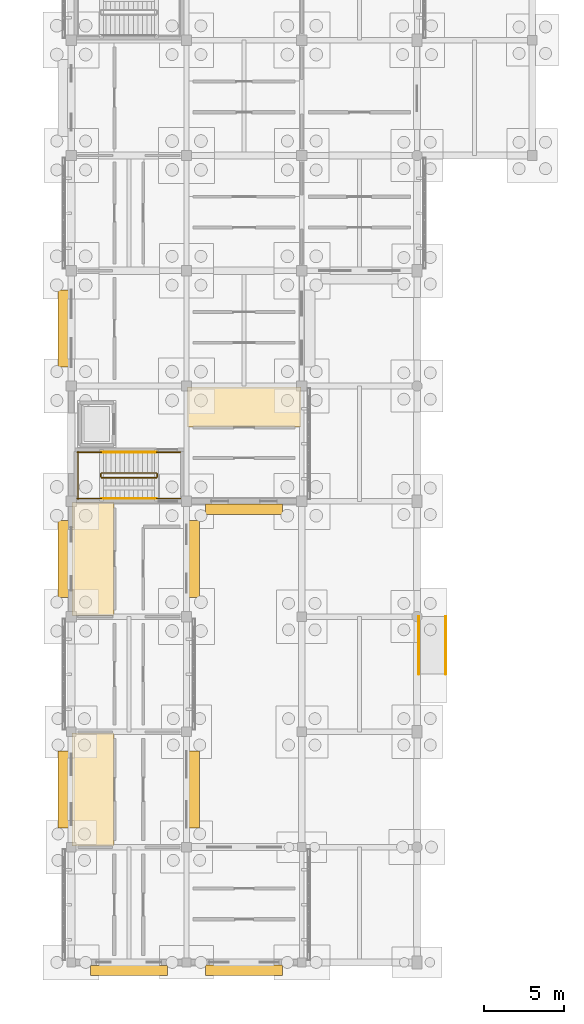
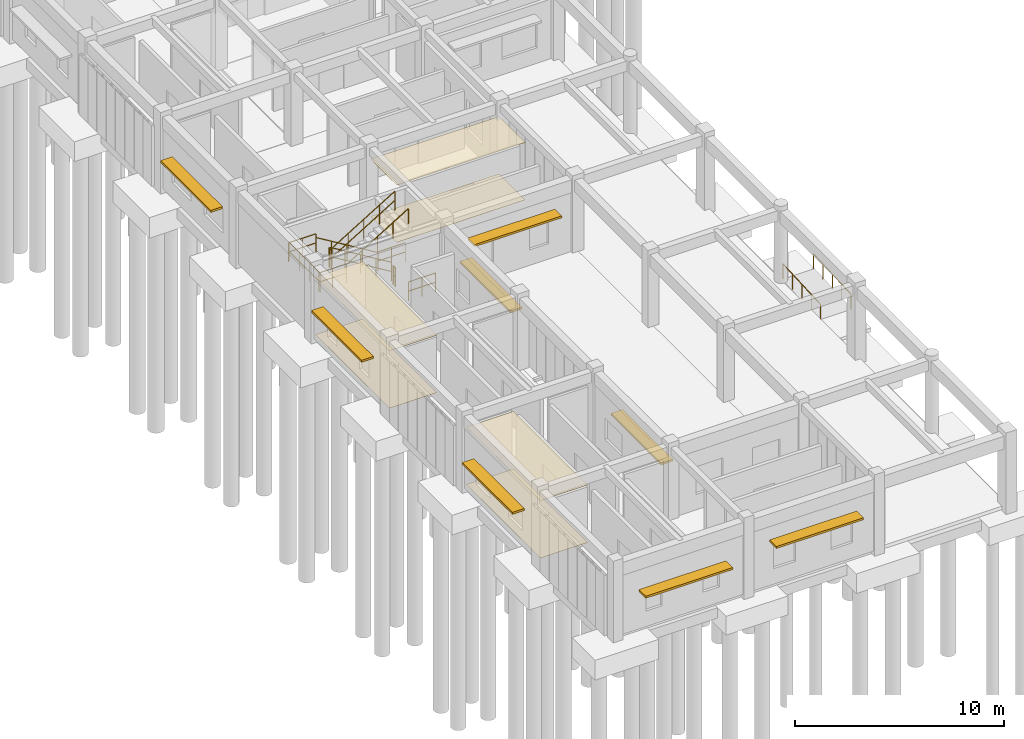
# One storey, part 91 of 111: 13 railings, 8 shading devices, 6 coverings.
"""IFC4 building model written with IfcOpenShell, lengths in metres."""

from ifc_helpers import new_model, si_unit, direction, frame, origin, origin_2d, place, context, subcontext, project, spatial, polyline, rectangle, circle, outline, extrude, material, layer, layer_set, type_object, element, save


model = new_model("IFC4")

# Units and contexts
model_context = context("Model", 3, precision=1e-05, world=origin(), true_north=direction((0.0, 1.0)))
body_context = subcontext(model_context, "Body", "Model", "MODEL_VIEW")
ifc_project = project(units=[si_unit("LENGTHUNIT", "METRE"), si_unit("AREAUNIT", "SQUARE_METRE"), si_unit("VOLUMEUNIT", "CUBIC_METRE"), si_unit("PLANEANGLEUNIT", "RADIAN"), si_unit("MASSUNIT", "GRAM", prefix="KILO")], contexts=[model_context])

# Site, building, storey
site_placement = place(None, origin())
site = spatial("IfcSite", under=ifc_project, at=site_placement, CompositionType="ELEMENT")
building_placement = place(site_placement, origin())
building = spatial("IfcBuilding", under=site, at=building_placement, Name="Aldebral Square Health Centre", CompositionType="ELEMENT")
storey_placement = place(building_placement, origin())
storey = spatial("IfcBuildingStorey", under=building, at=storey_placement, Name="L00", CompositionType="ELEMENT", Elevation=0.0)

# Coverings
ifc_material_1 = material(Name="Hygienic acoustic mineral ceiling tile")
ifc_layer_1 = layer(ifc_material_1, 0.02001953125, Name="Hygienic acoustic mineral ceiling tile")
ifc_layer_set_1 = layer_set([ifc_layer_1], Name="Hygienic acoustic mineral ceiling tile")
covering_type_1 = type_object("IfcCoveringType", Name="COV-CLG-AC", PredefinedType="CEILING", material=ifc_layer_set_1)
covering_1_placement = place(storey_placement, frame((0.0, 0.0, 3.340087890625)))
element("IfcCovering", 1, at=covering_1_placement, inside=storey, type_object=covering_type_1, Name="L00 Social Work Interview Room 1.2W acoustic ceiling", PredefinedType="CEILING", context=body_context, shape_type="SweptSolid", body=[
    extrude(outline(polyline([(0.06005859375, 7.260009765625), (2.659912109375, 7.260009765625), (2.659912109375, 14.340087890625), (0.06005859375, 14.340087890625), (0.06005859375, 7.260009765625)])), origin(), (0.0, 0.0, 1.0), 0.02001953125),
])
covering_2_placement = place(storey_placement, frame((0.0, 0.0, 3.340087890625)))
element("IfcCovering", 2, at=covering_2_placement, inside=storey, type_object=covering_type_1, Name="L00 Health Education Classroom 1.4W acoustic ceiling", PredefinedType="CEILING", context=body_context, shape_type="SweptSolid", body=[
    extrude(outline(polyline([(0.06005859375, 21.659912109375), (2.659912109375, 21.659912109375), (2.659912109375, 28.739990234375), (0.06005859375, 28.739990234375), (0.06005859375, 21.659912109375)])), origin(), (0.0, 0.0, 1.0), 0.02001953125),
])
covering_3_placement = place(storey_placement, frame((0.0, 0.0, 3.340087890625)))
element("IfcCovering", 3, at=covering_3_placement, inside=storey, type_object=covering_type_1, Name="L00 Accessible WC 2.5N acoustic ceiling", PredefinedType="CEILING", context=body_context, shape_type="SweptSolid", body=[
    extrude(outline(polyline([(7.260009765625, 33.43994140625), (14.340087890625, 33.43994140625), (14.340087890625, 35.93994140625), (7.260009765625, 35.93994140625), (7.260009765625, 33.43994140625)])), origin(), (0.0, 0.0, 1.0), 0.02001953125),
])
ifc_material_2 = material(Name="Antimicrobial clinical vinyl flooring")
ifc_layer_2 = layer(ifc_material_2, 0.014892578125, Name="Antimicrobial clinical vinyl flooring")
ifc_layer_set_2 = layer_set([ifc_layer_2], Name="Antimicrobial clinical vinyl flooring")
covering_type_2 = type_object("IfcCoveringType", Name="COV-FLR-VN", PredefinedType="FLOORING", material=ifc_layer_set_2)
covering_4_placement = place(storey_placement, origin())
element("IfcCovering", 4, at=covering_4_placement, inside=storey, type_object=covering_type_2, Name="L00 Social Work Interview Room 1.2W clinical flooring", PredefinedType="FLOORING", context=body_context, shape_type="SweptSolid", body=[
    extrude(outline(polyline([(0.06005859375, 7.260009765625), (2.659912109375, 7.260009765625), (2.659912109375, 14.340087890625), (0.06005859375, 14.340087890625), (0.06005859375, 7.260009765625)])), origin(), (0.0, 0.0, 1.0), 0.014892578125),
])
covering_5_placement = place(storey_placement, origin())
element("IfcCovering", 5, at=covering_5_placement, inside=storey, type_object=covering_type_2, Name="L00 Health Education Classroom 1.4W clinical flooring", PredefinedType="FLOORING", context=body_context, shape_type="SweptSolid", body=[
    extrude(outline(polyline([(0.06005859375, 21.659912109375), (2.659912109375, 21.659912109375), (2.659912109375, 28.739990234375), (0.06005859375, 28.739990234375), (0.06005859375, 21.659912109375)])), origin(), (0.0, 0.0, 1.0), 0.014892578125),
])
covering_6_placement = place(storey_placement, origin())
element("IfcCovering", 6, at=covering_6_placement, inside=storey, type_object=covering_type_2, Name="L00 Accessible WC 2.5N clinical flooring", PredefinedType="FLOORING", context=body_context, shape_type="SweptSolid", body=[
    extrude(outline(polyline([(7.260009765625, 33.43994140625), (14.340087890625, 33.43994140625), (14.340087890625, 35.93994140625), (7.260009765625, 35.93994140625), (7.260009765625, 33.43994140625)])), origin(), (0.0, 0.0, 1.0), 0.014892578125),
])

# Railings
ifc_material_3 = material(Name="Stainless steel handrail", Category="steel")
railing_type_1 = type_object("IfcRailingType", Name="RL-RMP-HND", PredefinedType="HANDRAIL", material=ifc_material_3)
for number, where, name in (
    (7, (23.389892578125, 18.0, -0.179931640625), "Community Wing Colonnade Ramp handrail 1"),
    (8, (21.7099609375, 18.0, -0.179931640625), "Community Wing Colonnade Ramp handrail 2"),
):
    element("IfcRailing", number, at=place(storey_placement, frame(where)), inside=storey, type_object=railing_type_1, Name=name, PredefinedType="HANDRAIL", context=body_context, shape_type="SweptSolid", body=[
        extrude(circle(Radius=0.02392578125, at=origin_2d()), frame((0.0, 0.0, 0.8759765625), z_axis=(0.0, 0.998753352096, 0.049917348467), x_axis=(-1.0, 0.0, 0.0)), (0.0, 0.0, 1.0), 3.6044921875),
        extrude(circle(Radius=0.02099609375, at=origin_2d()), origin(), (0.0, 0.0, 1.0), 0.851806640625),
        extrude(circle(Radius=0.02099609375, at=origin_2d()), frame((0.0, 0.89990234375, 0.044921875)), (0.0, 0.0, 1.0), 0.851806640625),
        extrude(circle(Radius=0.02099609375, at=origin_2d()), frame((0.0, 1.800048828125, 0.08984375)), (0.0, 0.0, 1.0), 0.851806640625),
        extrude(circle(Radius=0.02099609375, at=origin_2d()), frame((0.0, 2.7001953125, 0.135009765625)), (0.0, 0.0, 1.0), 0.851806640625),
        extrude(circle(Radius=0.02099609375, at=origin_2d()), frame((0.0, 3.60009765625, 0.179931640625)), (0.0, 0.0, 1.0), 0.851806640625),
    ])
ifc_material_4 = material(Name="Painted steel S355JR stair guard", Category="steel")
railing_type_2 = type_object("IfcRailingType", Name="RL-ST-GRD", PredefinedType="GUARDRAIL", material=ifc_material_4)
railing_1_placement = place(storey_placement, frame((5.320068359375, 30.570068359375, 0.173095703125)))
element("IfcRailing", 9, at=railing_1_placement, inside=storey, type_object=railing_type_2, Name="L00 ST-05 stair guard 1", PredefinedType="GUARDRAIL", context=body_context, shape_type="SweptSolid", body=[
    extrude(circle(Radius=0.02392578125, at=origin_2d()), frame((0.0, 0.0, 1.09619140625), z_axis=(-0.854745945586, 0.0, 0.519046595696), x_axis=(0.0, -1.0, 0.0)), (0.0, 0.0, 1.0), 4.00146484375),
    extrude(circle(Radius=0.02392578125, at=origin_2d()), frame((0.0, 0.0, 0.56005859375), z_axis=(-0.854745945586, 0.0, 0.519046595696), x_axis=(0.0, -1.0, 0.0)), (0.0, 0.0, 1.0), 4.00146484375),
    extrude(circle(Radius=0.02099609375, at=origin_2d()), origin(), (0.0, 0.0, 1.0), 1.072021484375),
    extrude(circle(Radius=0.02099609375, at=origin_2d()), frame((-0.85498046875, 0.0, 0.519287109375)), (0.0, 0.0, 1.0), 1.072021484375),
    extrude(circle(Radius=0.02099609375, at=origin_2d()), frame((-1.7099609375, 0.0, 1.03857421875)), (0.0, 0.0, 1.0), 1.072021484375),
    extrude(circle(Radius=0.02099609375, at=origin_2d()), frame((-2.565185546875, 0.0, 1.5576171875)), (0.0, 0.0, 1.0), 1.072021484375),
    extrude(circle(Radius=0.02099609375, at=origin_2d()), frame((-3.420166015625, 0.0, 2.076904296875)), (0.0, 0.0, 1.0), 1.072021484375),
])
railing_2_placement = place(storey_placement, frame((1.85009765625, 30.52001953125, 2.25)))
element("IfcRailing", 10, at=railing_2_placement, inside=storey, type_object=railing_type_2, Name="L00 ST-05 stair guard 2", PredefinedType="GUARDRAIL", context=body_context, shape_type="SweptSolid", body=[
    extrude(circle(Radius=0.02392578125, at=origin_2d()), frame((0.0, 0.0, 1.09619140625), z_axis=(0.0, -1.0, 0.0), x_axis=(1.0, 0.0, 0.0)), (0.0, 0.0, 1.0), 0.199951171875),
    extrude(circle(Radius=0.02392578125, at=origin_2d()), frame((0.0, 0.0, 0.56005859375), z_axis=(0.0, -1.0, 0.0), x_axis=(1.0, 0.0, 0.0)), (0.0, 0.0, 1.0), 0.199951171875),
    extrude(circle(Radius=0.02099609375, at=origin_2d()), origin(), (0.0, 0.0, 1.0), 1.072021484375),
    extrude(circle(Radius=0.02099609375, at=origin_2d()), frame((0.0, -0.199951171875, 0.0)), (0.0, 0.0, 1.0), 1.072021484375),
])
for number, where, name in (
    (11, (1.89990234375, 31.8701171875, 2.25), "L00 ST-05 stair guard 3"),
    (12, (1.89990234375, 28.969970703125, 2.25), "L00 ST-05 stair guard 4"),
):
    element("IfcRailing", number, at=place(storey_placement, frame(where)), inside=storey, type_object=railing_type_2, Name=name, PredefinedType="GUARDRAIL", context=body_context, shape_type="SweptSolid", body=[
        extrude(circle(Radius=0.02392578125, at=origin_2d()), frame((0.0, 0.0, 1.09619140625), z_axis=(-1.0, 0.0, 0.0), x_axis=(0.0, -1.0, 0.0)), (0.0, 0.0, 1.0), 1.52001953125),
        extrude(circle(Radius=0.02392578125, at=origin_2d()), frame((0.0, 0.0, 0.56005859375), z_axis=(-1.0, 0.0, 0.0), x_axis=(0.0, -1.0, 0.0)), (0.0, 0.0, 1.0), 1.52001953125),
        extrude(circle(Radius=0.02099609375, at=origin_2d()), origin(), (0.0, 0.0, 1.0), 1.072021484375),
        extrude(circle(Radius=0.02099609375, at=origin_2d()), frame((-0.760009765625, 0.0, 0.0)), (0.0, 0.0, 1.0), 1.072021484375),
        extrude(circle(Radius=0.02099609375, at=origin_2d()), frame((-1.52001953125, 0.0, 0.0)), (0.0, 0.0, 1.0), 1.072021484375),
    ])
railing_3_placement = place(storey_placement, frame((0.429931640625, 31.919921875, 2.25)))
element("IfcRailing", 13, at=railing_3_placement, inside=storey, type_object=railing_type_2, Name="L00 ST-05 stair guard 5", PredefinedType="GUARDRAIL", context=body_context, shape_type="SweptSolid", body=[
    extrude(circle(Radius=0.02392578125, at=origin_2d()), frame((0.0, 0.0, 1.09619140625), z_axis=(0.0, -1.0, 0.0), x_axis=(1.0, 0.0, 0.0)), (0.0, 0.0, 1.0), 3.0),
    extrude(circle(Radius=0.02392578125, at=origin_2d()), frame((0.0, 0.0, 0.56005859375), z_axis=(0.0, -1.0, 0.0), x_axis=(1.0, 0.0, 0.0)), (0.0, 0.0, 1.0), 3.0),
    extrude(circle(Radius=0.02099609375, at=origin_2d()), origin(), (0.0, 0.0, 1.0), 1.072021484375),
    extrude(circle(Radius=0.02099609375, at=origin_2d()), frame((0.0, -1.0, 0.0)), (0.0, 0.0, 1.0), 1.072021484375),
    extrude(circle(Radius=0.02099609375, at=origin_2d()), frame((0.0, -2.0, 0.0)), (0.0, 0.0, 1.0), 1.072021484375),
    extrude(circle(Radius=0.02099609375, at=origin_2d()), frame((0.0, -3.0, 0.0)), (0.0, 0.0, 1.0), 1.072021484375),
])
railing_4_placement = place(storey_placement, frame((1.89990234375, 30.27001953125, 2.423095703125)))
element("IfcRailing", 14, at=railing_4_placement, inside=storey, type_object=railing_type_2, Name="L00 ST-05 stair guard 6", PredefinedType="GUARDRAIL", context=body_context, shape_type="SweptSolid", body=[
    extrude(circle(Radius=0.02392578125, at=origin_2d()), frame((0.0, 0.0, 1.09619140625), z_axis=(0.854745945586, 0.0, 0.519046595696), x_axis=(0.0, 1.0, 0.0)), (0.0, 0.0, 1.0), 4.00146484375),
    extrude(circle(Radius=0.02392578125, at=origin_2d()), frame((0.0, 0.0, 0.56005859375), z_axis=(0.854745945586, 0.0, 0.519046595696), x_axis=(0.0, 1.0, 0.0)), (0.0, 0.0, 1.0), 4.00146484375),
    extrude(circle(Radius=0.02099609375, at=origin_2d()), origin(), (0.0, 0.0, 1.0), 1.072021484375),
    extrude(circle(Radius=0.02099609375, at=origin_2d()), frame((0.85498046875, 0.0, 0.519287109375)), (0.0, 0.0, 1.0), 1.072021484375),
    extrude(circle(Radius=0.02099609375, at=origin_2d()), frame((1.7099609375, 0.0, 1.03857421875)), (0.0, 0.0, 1.0), 1.072021484375),
    extrude(circle(Radius=0.02099609375, at=origin_2d()), frame((2.565185546875, 0.0, 1.5576171875)), (0.0, 0.0, 1.0), 1.072021484375),
    extrude(circle(Radius=0.02099609375, at=origin_2d()), frame((3.420166015625, 0.0, 2.076904296875)), (0.0, 0.0, 1.0), 1.072021484375),
])
railing_5_placement = place(storey_placement, frame((5.3701171875, 30.52001953125, 0.0)))
element("IfcRailing", 15, at=railing_5_placement, inside=storey, type_object=railing_type_2, Name="L00 ST-05 stair guard 7", PredefinedType="GUARDRAIL", context=body_context, shape_type="SweptSolid", body=[
    extrude(circle(Radius=0.02392578125, at=origin_2d()), frame((0.0, 0.0, 1.09619140625), z_axis=(0.0, -1.0, 0.0), x_axis=(1.0, 0.0, 0.0)), (0.0, 0.0, 1.0), 0.199951171875),
    extrude(circle(Radius=0.02392578125, at=origin_2d()), frame((0.0, 0.0, 0.56005859375), z_axis=(0.0, -1.0, 0.0), x_axis=(1.0, 0.0, 0.0)), (0.0, 0.0, 1.0), 0.199951171875),
    extrude(circle(Radius=0.02099609375, at=origin_2d()), origin(), (0.0, 0.0, 1.0), 1.072021484375),
    extrude(circle(Radius=0.02099609375, at=origin_2d()), frame((0.0, -0.199951171875, 0.0)), (0.0, 0.0, 1.0), 1.072021484375),
])
for number, where, name in (
    (16, (6.820068359375, 31.8701171875, 0.0), "L00 ST-05 stair guard 8"),
    (17, (6.820068359375, 28.969970703125, 0.0), "L00 ST-05 stair guard 9"),
):
    element("IfcRailing", number, at=place(storey_placement, frame(where)), inside=storey, type_object=railing_type_2, Name=name, PredefinedType="GUARDRAIL", context=body_context, shape_type="SweptSolid", body=[
        extrude(circle(Radius=0.02392578125, at=origin_2d()), frame((0.0, 0.0, 1.09619140625), z_axis=(-1.0, 0.0, 0.0), x_axis=(0.0, -1.0, 0.0)), (0.0, 0.0, 1.0), 1.5),
        extrude(circle(Radius=0.02392578125, at=origin_2d()), frame((0.0, 0.0, 0.56005859375), z_axis=(-1.0, 0.0, 0.0), x_axis=(0.0, -1.0, 0.0)), (0.0, 0.0, 1.0), 1.5),
        extrude(circle(Radius=0.02099609375, at=origin_2d()), origin(), (0.0, 0.0, 1.0), 1.072021484375),
        extrude(circle(Radius=0.02099609375, at=origin_2d()), frame((-0.75, 0.0, 0.0)), (0.0, 0.0, 1.0), 1.072021484375),
        extrude(circle(Radius=0.02099609375, at=origin_2d()), frame((-1.5, 0.0, 0.0)), (0.0, 0.0, 1.0), 1.072021484375),
    ])
ifc_material_5 = material(Name="Brushed stainless steel handrail", Category="steel")
railing_type_3 = type_object("IfcRailingType", Name="RL-ST-HND", PredefinedType="HANDRAIL", material=ifc_material_5)
railing_6_placement = place(storey_placement, frame((5.320068359375, 31.8701171875, 0.173095703125)))
element("IfcRailing", 18, at=railing_6_placement, inside=storey, type_object=railing_type_3, Name="L00 ST-05 stair handrail 1", PredefinedType="HANDRAIL", context=body_context, shape_type="SweptSolid", body=[
    extrude(circle(Radius=0.02392578125, at=origin_2d()), frame((0.0, 0.0, 0.8759765625), z_axis=(-0.854745945586, 0.0, 0.519046595696), x_axis=(0.0, -1.0, 0.0)), (0.0, 0.0, 1.0), 4.00146484375),
    extrude(circle(Radius=0.02099609375, at=origin_2d()), origin(), (0.0, 0.0, 1.0), 0.851806640625),
    extrude(circle(Radius=0.02099609375, at=origin_2d()), frame((-0.85498046875, 0.0, 0.519287109375)), (0.0, 0.0, 1.0), 0.851806640625),
    extrude(circle(Radius=0.02099609375, at=origin_2d()), frame((-1.7099609375, 0.0, 1.03857421875)), (0.0, 0.0, 1.0), 0.851806640625),
    extrude(circle(Radius=0.02099609375, at=origin_2d()), frame((-2.565185546875, 0.0, 1.5576171875)), (0.0, 0.0, 1.0), 0.851806640625),
    extrude(circle(Radius=0.02099609375, at=origin_2d()), frame((-3.420166015625, 0.0, 2.076904296875)), (0.0, 0.0, 1.0), 0.851806640625),
])
railing_7_placement = place(storey_placement, frame((1.89990234375, 28.969970703125, 2.423095703125)))
element("IfcRailing", 19, at=railing_7_placement, inside=storey, type_object=railing_type_3, Name="L00 ST-05 stair handrail 2", PredefinedType="HANDRAIL", context=body_context, shape_type="SweptSolid", body=[
    extrude(circle(Radius=0.02392578125, at=origin_2d()), frame((0.0, 0.0, 0.8759765625), z_axis=(0.854745945586, 0.0, 0.519046595696), x_axis=(0.0, 1.0, 0.0)), (0.0, 0.0, 1.0), 4.00146484375),
    extrude(circle(Radius=0.02099609375, at=origin_2d()), origin(), (0.0, 0.0, 1.0), 0.851806640625),
    extrude(circle(Radius=0.02099609375, at=origin_2d()), frame((0.85498046875, 0.0, 0.519287109375)), (0.0, 0.0, 1.0), 0.851806640625),
    extrude(circle(Radius=0.02099609375, at=origin_2d()), frame((1.7099609375, 0.0, 1.03857421875)), (0.0, 0.0, 1.0), 0.851806640625),
    extrude(circle(Radius=0.02099609375, at=origin_2d()), frame((2.565185546875, 0.0, 1.5576171875)), (0.0, 0.0, 1.0), 0.851806640625),
    extrude(circle(Radius=0.02099609375, at=origin_2d()), frame((3.420166015625, 0.0, 2.076904296875)), (0.0, 0.0, 1.0), 0.851806640625),
])

# Shading devices
ifc_material_6 = material(Name="Sienna-terracotta solar hood", Category="masonry")
shading_device_type = type_object("IfcShadingDeviceType", Name="SHD-LVR-1", PredefinedType="JALOUSIE", material=ifc_material_6)
for number, where, z_axis, x_axis, name in (
    (20, (3.60009765625, -0.5048828125, 2.169921875), (0.0, 0.0, 1.0), (1.0, 0.0, 0.0), "L00 solar hood L00-V6-00-00-S"),
    (21, (-0.4951171875, 10.800048828125, 2.169921875), (0.0, 0.0, 1.0), (0.0, 1.0, 0.0), "L00 solar hood L00-V6-00-01-W"),
    (22, (7.695068359375, 10.800048828125, 2.169921875), (0.0, 0.0, 1.0), (0.0, 1.0, 0.0), "L00 solar hood L00-V6-00-01-E"),
    (23, (-0.4951171875, 25.199951171875, 2.300048828125), (0.0, 0.0, 1.0), (0.0, 1.0, 0.0), "L00 solar hood L00-V6-00-03-W"),
    (24, (7.695068359375, 25.199951171875, 2.300048828125), (0.0, 0.0, 1.0), (0.0, 1.0, 0.0), "L00 solar hood L00-V6-00-03-E"),
    (25, (-0.4951171875, 39.60009765625, 2.300048828125), (0.0, 0.0, 1.0), (0.0, 1.0, 0.0), "L00 solar hood L00-V6-00-05-W"),
    (26, (10.800048828125, -0.4951171875, 2.5400390625), (0.0, 0.0, 1.0), (1.0, 0.0, 0.0), "L00 solar hood L00-V6-01-00-S"),
    (27, (10.800048828125, 28.304931640625, 2.669921875), (0.0, 0.0, 1.0), (1.0, 0.0, 0.0), "L00 solar hood L00-V6-01-04-S"),
):
    element("IfcShadingDevice", number, at=place(storey_placement, frame(where, z_axis=z_axis, x_axis=x_axis)), inside=storey, type_object=shading_device_type, Name=name, PredefinedType="JALOUSIE", context=body_context, shape_type="SweptSolid", body=[
        extrude(rectangle(XDim=4.800048828125, YDim=0.64990234375, at=origin_2d()), origin(), (0.0, 0.0, 1.0), 0.1201171875),
    ])

save(model, "model.ifc")
